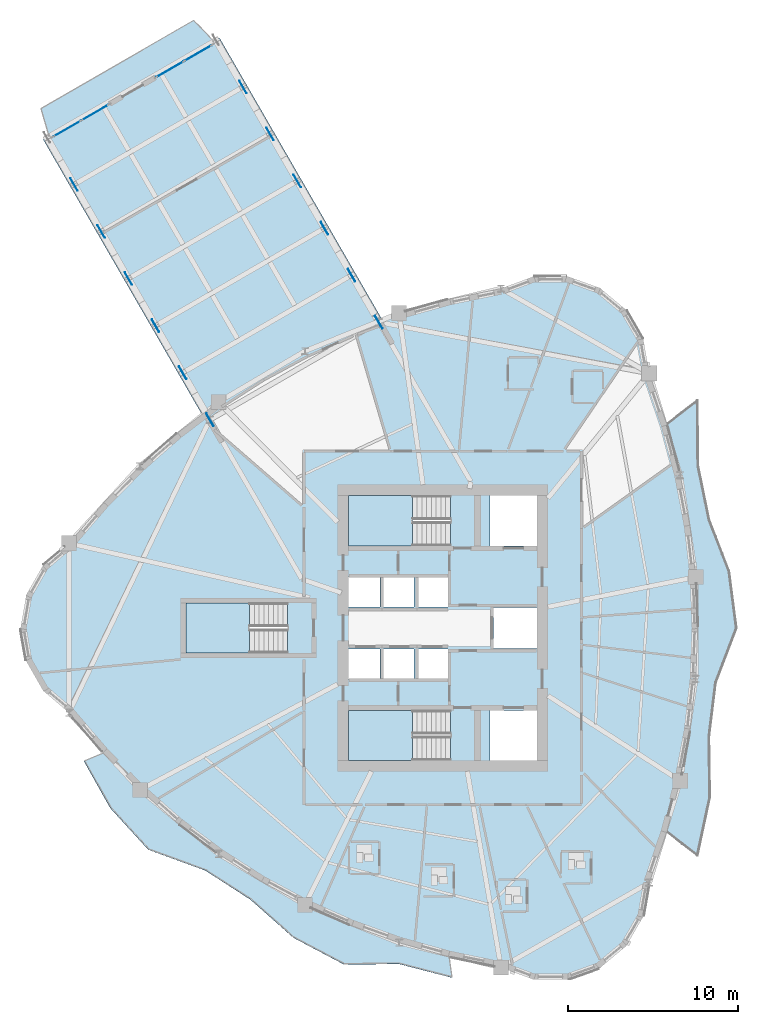
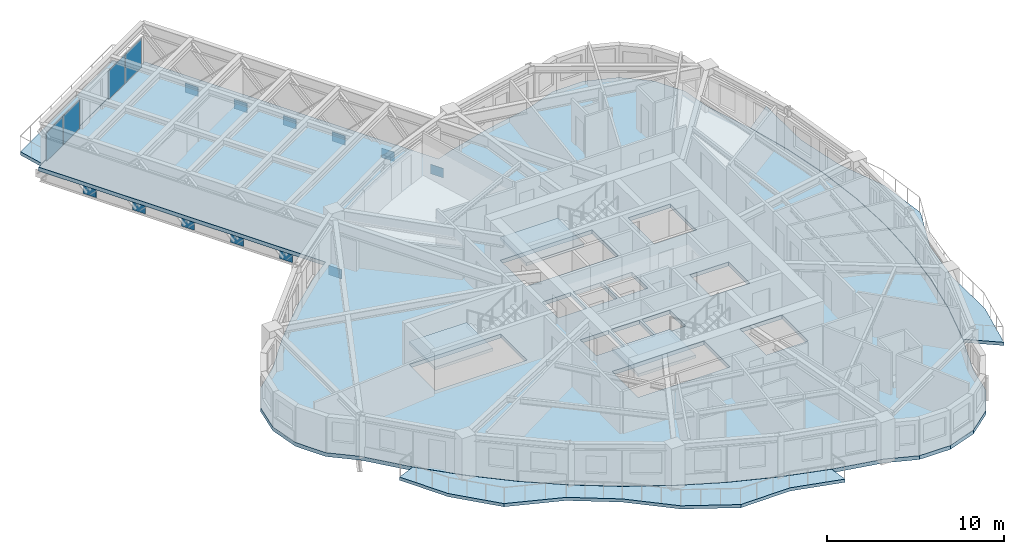
# One storey, part 4 of 16: 16 plates, 7 slabs, 5 elements without a shape of their own.
"""IFC4 building model written with IfcOpenShell, lengths in metres."""

from ifc_helpers import new_model, si_unit, direction, frame, origin, origin_2d, place, context, subcontext, project, spatial, polyline, rectangle, outline, extrude, source, transform, mapped, material, layer, layer_set, type_object, element, aggregate, save


model = new_model("IFC4")

# Units and contexts
model_context = context("Model", 3, precision=1e-05, world=origin(), true_north=direction((0.0, 1.0)))
body_context = subcontext(model_context, "Body", "Model", "MODEL_VIEW")
ifc_project = project(units=[si_unit("LENGTHUNIT", "METRE"), si_unit("AREAUNIT", "SQUARE_METRE"), si_unit("VOLUMEUNIT", "CUBIC_METRE"), si_unit("PLANEANGLEUNIT", "RADIAN"), si_unit("MASSUNIT", "GRAM", prefix="KILO")], contexts=[model_context])

# Site, building, storey
site_placement = place(None, origin())
site = spatial("IfcSite", under=ifc_project, at=site_placement, CompositionType="ELEMENT")
building_placement = place(site_placement, origin())
building = spatial("IfcBuilding", under=site, at=building_placement, Name="Qafzar Sky-Pleat Residences", CompositionType="ELEMENT")
storey_placement = place(building_placement, frame((0.0, 0.0, 80.0)))
storey = spatial("IfcBuildingStorey", under=building, at=storey_placement, Name="L23", CompositionType="ELEMENT", Elevation=80.0)

# Slabs
ifc_material_1 = material(Name="Concrete C40/50", Category="concrete")
ifc_layer_1 = layer(ifc_material_1, 0.219970703125)
ifc_layer_set_1 = layer_set([ifc_layer_1], Name="Concrete C40/50")
slab_type_1 = type_object("IfcSlabType", Name="SLAB-BAL-220", PredefinedType="USERDEFINED", material=ifc_layer_set_1)
slab_1_placement = place(storey_placement, frame((0.0, 0.0, -0.219970703125)))
element("IfcSlab", 1, at=slab_1_placement, inside=storey, type_object=slab_type_1, Name="L23 Pleated Stone Balcony 1", ObjectType="BALCONY", PredefinedType="USERDEFINED", context=body_context, shape_type="SweptSolid", body=[
    extrude(outline(polyline([(44.369384765625, 16.98291015625), (44.94091796875, 19.98828125), (45.28369140625, 22.994140625), (45.398193359375, 26.0), (45.28369140625, 29.005859375), (44.94091796875, 32.01171875), (44.369384765625, 35.01708984375), (43.5693359375, 38.0224609375), (45.4140625, 39.447021484375), (45.45361328125, 35.614501953125), (46.107421875, 32.425537109375), (47.291748046875, 29.35498046875), (47.72900390625, 26.0), (46.50341796875, 22.781982421875), (46.107421875, 19.574462890625), (46.154296875, 15.99951171875), (45.4140625, 12.552978515625), (43.5693359375, 13.9775390625), (44.369384765625, 16.98291015625)])), origin(), (0.0, 0.0, 1.0), 0.219970703125),
])
slab_2_placement = place(storey_placement, frame((0.0, 0.0, -0.219970703125)))
element("IfcSlab", 2, at=slab_2_placement, inside=storey, type_object=slab_type_1, Name="L23 Pleated Stone Balcony 2", ObjectType="BALCONY", PredefinedType="USERDEFINED", context=body_context, shape_type="SweptSolid", body=[
    extrude(outline(polyline([(12.482421875, 16.444580078125), (14.745849609375, 14.45703125), (17.123779296875, 12.6630859375), (19.615966796875, 11.063232421875), (22.22265625, 9.657470703125), (24.943359375, 8.445556640625), (27.7783203125, 7.427490234375), (30.727294921875, 6.603271484375), (30.89990234375, 5.37744140625), (27.763671875, 6.189453125), (24.543701171875, 6.149169921875), (21.543212890625, 7.73583984375), (19.010009765625, 9.98388671875), (16.34130859375, 11.703857421875), (12.98828125, 12.92626953125), (10.7470703125, 15.3759765625), (9.19091796875, 18.14892578125), (10.333251953125, 18.625732421875), (12.482421875, 16.444580078125)])), origin(), (0.0, 0.0, 1.0), 0.219970703125),
])
ifc_layer_2 = layer(ifc_material_1, 0.22998046875)
ifc_layer_set_2 = layer_set([ifc_layer_2], Name="Concrete C40/50")
slab_type_2 = type_object("IfcSlabType", Name="SLAB-BAL-230", PredefinedType="USERDEFINED", material=ifc_layer_set_2)
slab_3_placement = place(storey_placement, frame((0.0, 0.0, -0.22998046875)))
element("IfcSlab", 3, at=slab_3_placement, inside=storey, type_object=slab_type_2, Name="L23 SB-2 Tip Observation Balcony", ObjectType="BALCONY", PredefinedType="USERDEFINED", context=body_context, shape_type="SweptSolid", body=[
    extrude(outline(polyline([(16.830810546875, 60.6162109375), (15.666748046875, 61.83203125), (6.66015625, 56.632080078125), (7.131103515625, 55.01611328125), (16.830810546875, 60.6162109375)])), origin(), (0.0, 0.0, 1.0), 0.22998046875),
])

# Stair, slab
stair_type = type_object("IfcStairType", Name="STAIR-H320", PredefinedType="HALF_TURN_STAIR", material=ifc_material_1)
stair_1_placement = place(storey_placement, origin())
stair_1 = element("IfcStair", 4, at=stair_1_placement, inside=storey, type_object=stair_type, Name="L23 Protected Exit Stair ST1", PredefinedType="HALF_TURN_STAIR")
ifc_layer_3 = layer(ifc_material_1, 0.199951171875)
ifc_layer_set_3 = layer_set([ifc_layer_3], Name="Concrete C40/50")
slab_type_3 = type_object("IfcSlabType", Name="SLAB-LANDING-200", PredefinedType="LANDING", material=ifc_layer_set_3)
slab_4_placement = place(storey_placement, frame((0.0, 0.0, 1.39990234375)))
slab_4 = element("IfcSlab", 5, at=slab_4_placement, type_object=slab_type_3, Name="ST1 landing 1", PredefinedType="LANDING", context=body_context, shape_type="SweptSolid", body=[
    extrude(outline(polyline([(28.56005859375, 21.14990234375), (24.800048828125, 21.14990234375), (24.800048828125, 18.199951171875), (28.56005859375, 18.199951171875), (28.56005859375, 21.14990234375)])), origin(), (0.0, 0.0, 1.0), 0.2001953125),
])
aggregate(stair_1, [slab_4])

stair_2_placement = place(storey_placement, origin())
stair_2 = element("IfcStair", 6, at=stair_2_placement, inside=storey, type_object=stair_type, Name="L23 Protected Exit Stair ST2", PredefinedType="HALF_TURN_STAIR")
slab_5_placement = place(storey_placement, frame((0.0, 0.0, 1.39990234375)))
slab_5 = element("IfcSlab", 7, at=slab_5_placement, type_object=slab_type_3, Name="ST2 landing 1", PredefinedType="LANDING", context=body_context, shape_type="SweptSolid", body=[
    extrude(outline(polyline([(28.56005859375, 33.800048828125), (24.800048828125, 33.800048828125), (24.800048828125, 30.85009765625), (28.56005859375, 30.85009765625), (28.56005859375, 33.800048828125)])), origin(), (0.0, 0.0, 1.0), 0.2001953125),
])
aggregate(stair_2, [slab_5])

stair_3_placement = place(storey_placement, origin())
stair_3 = element("IfcStair", 8, at=stair_3_placement, inside=storey, type_object=stair_type, Name="L23 Protected Exit Stair ST3", PredefinedType="HALF_TURN_STAIR")
slab_6_placement = place(storey_placement, frame((0.0, 0.0, 1.39990234375)))
slab_6 = element("IfcSlab", 9, at=slab_6_placement, type_object=slab_type_3, Name="ST3 landing 1", PredefinedType="LANDING", context=body_context, shape_type="SweptSolid", body=[
    extrude(outline(polyline([(18.9599609375, 27.47509765625), (15.199951171875, 27.47509765625), (15.199951171875, 24.52490234375), (18.9599609375, 24.52490234375), (18.9599609375, 27.47509765625)])), origin(), (0.0, 0.0, 1.0), 0.2001953125),
])
aggregate(stair_3, [slab_6])

# Slab
ifc_layer_4 = layer(ifc_material_1, 0.264892578125)
ifc_layer_set_4 = layer_set([ifc_layer_4], Name="Concrete C40/50")
slab_type_4 = type_object("IfcSlabType", Name="SLAB-SB-265", PredefinedType="FLOOR", material=ifc_layer_set_4)
slab_7_placement = place(storey_placement, frame((0.0, 0.0, -0.264892578125)))
element("IfcSlab", 10, at=slab_7_placement, inside=storey, type_object=slab_type_4, Name="L23 Structural Floor Slab", PredefinedType="FLOOR", context=body_context, shape_type="SweptSolid", body=[
    extrude(outline(polyline([(27.778564453125, 44.560546875), (30.7255859375, 45.384765625), (33.787109375, 46.015380859375), (35.68212890625, 46.72314453125), (37.705078125, 46.73681640625), (39.609619140625, 46.054931640625), (41.164306640625, 44.760498046875), (42.1796875, 43.010986328125), (42.532470703125, 41.01904296875), (43.559814453125, 38.01513671875), (44.35888671875, 35.011474609375), (44.929443359375, 32.007568359375), (45.27197265625, 29.00390625), (45.385986328125, 26.0), (45.27197265625, 22.99609375), (44.929443359375, 19.992431640625), (44.35888671875, 16.988525390625), (43.559814453125, 13.98486328125), (42.532470703125, 10.98095703125), (42.1796875, 8.989013671875), (41.164306640625, 7.239501953125), (39.609619140625, 5.945068359375), (37.705078125, 5.26318359375), (35.68212890625, 5.27685546875), (33.787109375, 5.984619140625), (30.7255859375, 6.615234375), (27.778564453125, 7.439453125), (24.945556640625, 8.457275390625), (22.2265625, 9.668701171875), (19.621826171875, 11.07373046875), (17.13134765625, 12.672607421875), (14.7548828125, 14.46484375), (12.49267578125, 16.45068359375), (10.344482421875, 18.63037109375), (8.310302734375, 21.003662109375), (6.790283203125, 22.298828125), (5.7998046875, 24.03271484375), (5.455810546875, 26.0), (5.7998046875, 27.96728515625), (6.790283203125, 29.701171875), (8.310302734375, 30.996337890625), (10.344482421875, 33.36962890625), (12.49267578125, 35.54931640625), (14.7548828125, 37.53515625), (16.153076171875, 38.589599609375), (6.792236328125, 54.802978515625), (17.1845703125, 60.802978515625), (26.771240234375, 44.19873046875), (27.778564453125, 44.560546875)]), holes=[polyline([(30.797119140625, 21.14990234375), (24.800048828125, 21.14990234375), (24.800048828125, 18.199951171875), (30.797119140625, 18.199951171875), (30.797119140625, 21.14990234375)]), polyline([(30.797119140625, 33.800048828125), (24.800048828125, 33.800048828125), (24.800048828125, 30.85009765625), (30.797119140625, 30.85009765625), (30.797119140625, 33.800048828125)]), polyline([(21.197021484375, 27.47509765625), (15.199951171875, 27.47509765625), (15.199951171875, 24.52490234375), (21.197021484375, 24.52490234375), (21.197021484375, 27.47509765625)]), polyline([(24.800048828125, 22.949951171875), (26.64990234375, 22.949951171875), (26.64990234375, 24.75), (24.800048828125, 24.75), (24.800048828125, 22.949951171875)]), polyline([(26.800048828125, 22.949951171875), (28.64990234375, 22.949951171875), (28.64990234375, 24.75), (26.800048828125, 24.75), (26.800048828125, 22.949951171875)]), polyline([(28.800048828125, 22.949951171875), (30.64990234375, 22.949951171875), (30.64990234375, 24.75), (28.800048828125, 24.75), (28.800048828125, 22.949951171875)]), polyline([(24.800048828125, 27.25), (26.64990234375, 27.25), (26.64990234375, 29.050048828125), (24.800048828125, 29.050048828125), (24.800048828125, 27.25)]), polyline([(26.800048828125, 27.25), (28.64990234375, 27.25), (28.64990234375, 29.050048828125), (26.800048828125, 29.050048828125), (26.800048828125, 27.25)]), polyline([(28.800048828125, 27.25), (30.64990234375, 27.25), (30.64990234375, 29.050048828125), (28.800048828125, 29.050048828125), (28.800048828125, 27.25)]), polyline([(33.14990234375, 18.199951171875), (35.89990234375, 18.199951171875), (35.89990234375, 21.14990234375), (33.14990234375, 21.14990234375), (33.14990234375, 18.199951171875)]), polyline([(33.14990234375, 30.85009765625), (35.89990234375, 30.85009765625), (35.89990234375, 33.800048828125), (33.14990234375, 33.800048828125), (33.14990234375, 30.85009765625)]), polyline([(33.35009765625, 24.800048828125), (35.89990234375, 24.800048828125), (35.89990234375, 27.199951171875), (33.35009765625, 27.199951171875), (33.35009765625, 24.800048828125)])]), origin(), (0.0, 0.0, 1.0), 0.264892578125),
])

# Plates
ifc_material_2 = material(Name="Steel S355", Category="steel")
ifc_layer_5 = layer(ifc_material_2, 0.034912109375)
ifc_layer_set_5 = layer_set([ifc_layer_5], Name="Steel S355")
plate_type_1 = type_object("IfcPlateType", Name="PLT-NODE-SBN1", PredefinedType="SHEET", material=ifc_layer_set_5)
shared_shape_1 = source(origin(), body_context, "Body", "SweptSolid", [
    extrude(rectangle(XDim=0.85009765625, YDim=0.034912109375, at=origin_2d()), origin(), (0.0, 0.0, 1.0), 0.64990234375),
])
for number, where, z_axis, x_axis, name in (
    (11, (16.620361328125, 38.280517578125, -0.989990234375), (0.0, 0.0, 1.0), (-0.5, 0.866025403784, 0.0), "SB-2 Truss Node Plate L0"),
    (12, (15.0185546875, 41.054931640625, -0.989990234375), (0.0, 0.0, 1.0), (-0.5, 0.866025403784, 0.0), "SB-2 Truss Node Plate L1"),
    (13, (13.41650390625, 43.82958984375, -0.989990234375), (0.0, 0.0, 1.0), (-0.5, 0.866025403784, 0.0), "SB-2 Truss Node Plate L2"),
    (14, (11.814697265625, 46.604248046875, -0.989990234375), (0.0, 0.0, 1.0), (-0.5, 0.866025403784, 0.0), "SB-2 Truss Node Plate L3"),
    (15, (10.212646484375, 49.37890625, -0.989990234375), (0.0, 0.0, 1.0), (-0.5, 0.866025403784, 0.0), "SB-2 Truss Node Plate L4"),
    (16, (8.61083984375, 52.153564453125, -0.989990234375), (0.0, 0.0, 1.0), (-0.5, 0.866025403784, 0.0), "SB-2 Truss Node Plate L5"),
    (17, (26.57958984375, 44.030517578125, -0.989990234375), (0.0, 0.0, 1.0), (-0.5, 0.866025403784, 0.0), "SB-2 Truss Node Plate R0"),
    (18, (24.977783203125, 46.804931640625, -0.989990234375), (0.0, 0.0, 1.0), (-0.5, 0.866025403784, 0.0), "SB-2 Truss Node Plate R1"),
    (19, (23.375732421875, 49.57958984375, -0.989990234375), (0.0, 0.0, 1.0), (-0.5, 0.866025403784, 0.0), "SB-2 Truss Node Plate R2"),
    (20, (21.77392578125, 52.354248046875, -0.989990234375), (0.0, 0.0, 1.0), (-0.5, 0.866025403784, 0.0), "SB-2 Truss Node Plate R3"),
    (21, (20.171875, 55.12890625, -0.989990234375), (0.0, 0.0, 1.0), (-0.5, 0.866025403784, 0.0), "SB-2 Truss Node Plate R4"),
    (22, (18.570068359375, 57.903564453125, -0.989990234375), (0.0, 0.0, 1.0), (-0.5, 0.866025403784, 0.0), "SB-2 Truss Node Plate R5"),
):
    element("IfcPlate", number, at=place(storey_placement, frame(where, z_axis=z_axis, x_axis=x_axis)), inside=storey, type_object=plate_type_1, Name=name, PredefinedType="SHEET", context=body_context, shape_type="MappedRepresentation", body=[
        mapped(shared_shape_1, transform((0.0, 0.0, 0.0), x_axis=(1.0, 0.0, 0.0), y_axis=(0.0, 1.0, 0.0), z_axis=(0.0, 0.0, 1.0), scale=1.0)),
    ])

# Curtain wall, plates
ifc_material_3 = material(Name="Anodised bronze aluminium framing", Category="aluminium")
ifc_layer_6 = layer(ifc_material_3, 0.239990234375)
ifc_layer_set_6 = layer_set([ifc_layer_6], Name="Anodised bronze aluminium framing")
curtain_wall_type_1 = type_object("IfcCurtainWallType", Name="CW-SYS-02", PredefinedType="NOTDEFINED", material=ifc_layer_set_6)
curtain_wall_1_placement = place(storey_placement, origin())
curtain_wall_1 = element("IfcCurtainWall", 23, at=curtain_wall_1_placement, inside=storey, type_object=curtain_wall_type_1, Name="L23 CW-02 Curtain Wall CW-L23-SB-2-PROW-L", PredefinedType="NOTDEFINED")
ifc_material_4 = material(Name="Solar-control double low-E glazing", Category="glass")
ifc_layer_7 = layer(ifc_material_4, 0.031982421875)
ifc_layer_set_7 = layer_set([ifc_layer_7], Name="Solar-control double low-E glazing")
plate_type_2 = type_object("IfcPlateType", Name="CWP-02", PredefinedType="CURTAIN_PANEL", material=ifc_layer_set_7)
shared_shape_2 = source(origin(), body_context, "Body", "SweptSolid", [
    extrude(rectangle(XDim=1.827392578125, YDim=0.031982421875, at=origin_2d()), origin(), (0.0, 0.0, 1.0), 1.965087890625),
])
plate_1_placement = place(storey_placement, frame((8.20849609375, 55.447509765625, 0.0751953125), z_axis=(0.0, 0.0, 1.0), x_axis=(0.86602678479, 0.49999760802, 0.0)))
plate_1 = element("IfcPlate", 24, at=plate_1_placement, type_object=plate_type_2, Name="CW-02 panel 1.1", PredefinedType="CURTAIN_PANEL", context=body_context, shape_type="MappedRepresentation", body=[
    mapped(shared_shape_2, transform((0.0, 0.0, 0.0), x_axis=(1.0, 0.0, 0.0), y_axis=(0.0, 1.0, 0.0), z_axis=(0.0, 0.0, 1.0), scale=1.0)),
])
plate_2_placement = place(storey_placement, frame((9.856201171875, 56.398681640625, 0.0751953125), z_axis=(0.0, 0.0, 1.0), x_axis=(0.86602678479, 0.49999760802, 0.0)))
plate_2 = element("IfcPlate", 25, at=plate_2_placement, type_object=plate_type_2, Name="CW-02 panel 2.1", PredefinedType="CURTAIN_PANEL", context=body_context, shape_type="MappedRepresentation", body=[
    mapped(shared_shape_2, transform((0.0, 0.0, 0.0), x_axis=(1.0, 0.0, 0.0), y_axis=(0.0, 1.0, 0.0), z_axis=(0.0, 0.0, 1.0), scale=1.0)),
])
aggregate(curtain_wall_1, [plate_1, plate_2])

ifc_layer_8 = layer(ifc_material_3, 0.219970703125)
ifc_layer_set_8 = layer_set([ifc_layer_8], Name="Anodised bronze aluminium framing")
curtain_wall_type_2 = type_object("IfcCurtainWallType", Name="CW-SYS-03", PredefinedType="NOTDEFINED", material=ifc_layer_set_8)
curtain_wall_2_placement = place(storey_placement, origin())
curtain_wall_2 = element("IfcCurtainWall", 26, at=curtain_wall_2_placement, inside=storey, type_object=curtain_wall_type_2, Name="L23 CW-03 Curtain Wall CW-L23-SB-2-PROW-R", PredefinedType="NOTDEFINED")
ifc_layer_9 = layer(ifc_material_4, 0.030029296875)
ifc_layer_set_9 = layer_set([ifc_layer_9], Name="Solar-control double low-E glazing")
plate_type_3 = type_object("IfcPlateType", Name="CWP-03", PredefinedType="CURTAIN_PANEL", material=ifc_layer_set_9)
shared_shape_3 = source(origin(), body_context, "Body", "SweptSolid", [
    extrude(rectangle(XDim=1.8349609375, YDim=0.030029296875, at=origin_2d()), origin(), (0.0, 0.0, 1.0), 1.97509765625),
])
plate_3_placement = place(storey_placement, frame((14.269775390625, 58.94677734375, 0.070068359375), z_axis=(0.0, 0.0, 1.0), x_axis=(0.86602678479, 0.49999760802, 0.0)))
plate_3 = element("IfcPlate", 27, at=plate_3_placement, type_object=plate_type_3, Name="CW-03 panel 1.1", PredefinedType="CURTAIN_PANEL", context=body_context, shape_type="MappedRepresentation", body=[
    mapped(shared_shape_3, transform((0.0, 0.0, 0.0), x_axis=(1.0, 0.0, 0.0), y_axis=(0.0, 1.0, 0.0), z_axis=(0.0, 0.0, 1.0), scale=1.0)),
])
plate_4_placement = place(storey_placement, frame((15.91943359375, 59.8994140625, 0.070068359375), z_axis=(0.0, 0.0, 1.0), x_axis=(0.86602678479, 0.49999760802, 0.0)))
plate_4 = element("IfcPlate", 28, at=plate_4_placement, type_object=plate_type_3, Name="CW-03 panel 2.1", PredefinedType="CURTAIN_PANEL", context=body_context, shape_type="MappedRepresentation", body=[
    mapped(shared_shape_3, transform((0.0, 0.0, 0.0), x_axis=(1.0, 0.0, 0.0), y_axis=(0.0, 1.0, 0.0), z_axis=(0.0, 0.0, 1.0), scale=1.0)),
])
aggregate(curtain_wall_2, [plate_3, plate_4])

save(model, "model.ifc")
